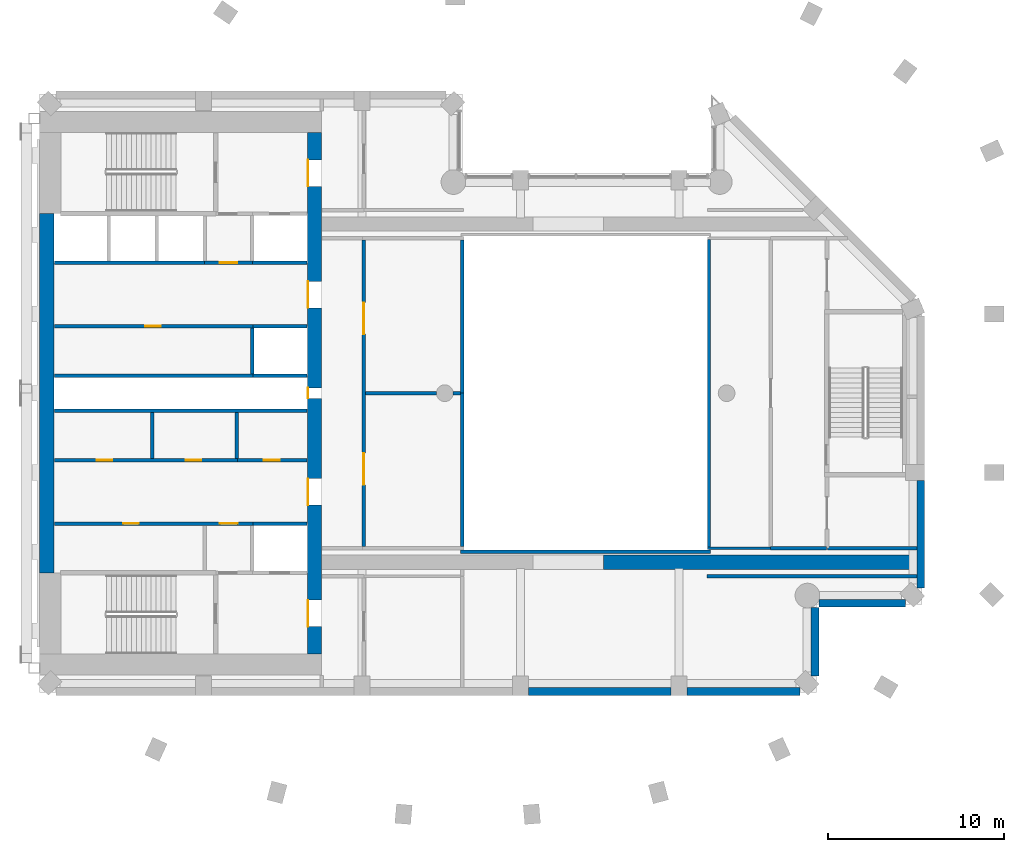
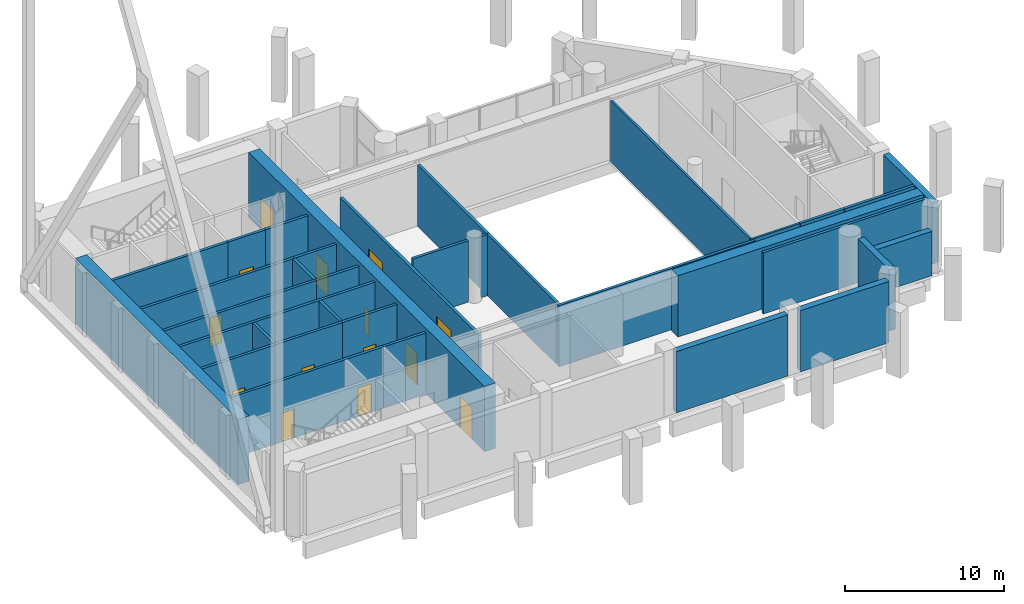
# One storey, part 5 of 12: 34 walls, 14 doors, 14 openings.
"""IFC4 building model written with IfcOpenShell, lengths in metres."""

from ifc_helpers import new_model, si_unit, direction, frame, frame_2d, origin, place, context, subcontext, project, spatial, rectangle, extrude, material, layer, layer_set, type_object, element, fill, save


model = new_model("IFC4")

# Units and contexts
model_context = context("Model", 3, precision=1e-05, world=origin(), true_north=direction((0.0, 1.0)))
body_context = subcontext(model_context, "Body", "Model", "MODEL_VIEW")
ifc_project = project(units=[si_unit("LENGTHUNIT", "METRE"), si_unit("AREAUNIT", "SQUARE_METRE"), si_unit("VOLUMEUNIT", "CUBIC_METRE"), si_unit("PLANEANGLEUNIT", "RADIAN"), si_unit("MASSUNIT", "GRAM", prefix="KILO")], contexts=[model_context])

# Site, building, storey
site_placement = place(None, origin())
site = spatial("IfcSite", under=ifc_project, at=site_placement, CompositionType="ELEMENT")
building_placement = place(site_placement, origin())
building = spatial("IfcBuilding", under=site, at=building_placement, Name="Cypress Arch Tower", CompositionType="ELEMENT")
storey_placement = place(building_placement, frame((0.0, 0.0, 238.39990234375)))
storey = spatial("IfcBuildingStorey", under=building, at=storey_placement, Name="L53", CompositionType="ELEMENT", Elevation=238.39990234375)

# Walls
ifc_material_1 = material(Name="Brick (red buff blend)", Category="masonry")
ifc_layer_1 = layer(ifc_material_1, 0.449951171875)
ifc_layer_set_1 = layer_set([ifc_layer_1], Name="Brick belt wall BW450-B")
wall_type_1 = type_object("IfcWallType", Name="Brick belt wall BW450-B", PredefinedType="SOLIDWALL", material=ifc_layer_set_1)
wall_1_placement = place(storey_placement, frame((-2.25, -16.925048828125, 0.0), z_axis=(0.0, 0.0, 1.0), x_axis=(1.0, 0.0, 0.0)))
element("IfcWall", 1, at=wall_1_placement, inside=storey, type_object=wall_type_1, Name="Brick wall L53 B01.3", PredefinedType="SOLIDWALL", context=body_context, shape_type="SweptSolid", body=[
    extrude(rectangle(XDim=8.10009765625, YDim=0.449951171875, at=frame_2d((4.050048828125, 0.0))), origin(), (0.0, 0.0, 1.0), 4.7001953125),
])
wall_2_placement = place(storey_placement, frame((6.75, -16.925048828125, 0.0), z_axis=(0.0, 0.0, 1.0), x_axis=(1.0, 0.0, 0.0)))
element("IfcWall", 2, at=wall_2_placement, inside=storey, type_object=wall_type_1, Name="Brick wall L53 B01.4", PredefinedType="SOLIDWALL", context=body_context, shape_type="SweptSolid", body=[
    extrude(rectangle(XDim=6.41357421875, YDim=0.449951171875, at=frame_2d((3.206787109375, 0.0))), origin(), (0.0, 0.0, 1.0), 4.7001953125),
])
wall_3_placement = place(storey_placement, frame((14.02490234375, -16.063720703125, 0.0), z_axis=(0.0, 0.0, 1.0), x_axis=(0.0, 1.0, 0.0)))
element("IfcWall", 3, at=wall_3_placement, inside=storey, type_object=wall_type_1, Name="Brick wall L53 B02.0", PredefinedType="SOLIDWALL", context=body_context, shape_type="SweptSolid", body=[
    extrude(rectangle(XDim=3.9091796875, YDim=0.449951171875, at=frame_2d((1.95458984375, 0.0))), origin(), (0.0, 0.0, 1.0), 4.7001953125),
])
wall_4_placement = place(storey_placement, frame((14.254638671875, -11.925048828125, 0.0), z_axis=(0.0, 0.0, 1.0), x_axis=(1.0, 0.0, 0.0)))
element("IfcWall", 4, at=wall_4_placement, inside=storey, type_object=wall_type_1, Name="Brick wall L53 B03.0", PredefinedType="SOLIDWALL", context=body_context, shape_type="SweptSolid", body=[
    extrude(rectangle(XDim=4.908935546875, YDim=0.449951171875, at=frame_2d((2.45458984375, 0.0))), origin(), (0.0, 0.0, 1.0), 3.400146484375),
])
wall_5_placement = place(storey_placement, frame((20.02490234375, -11.063720703125, 0.0), z_axis=(0.0, 0.0, 1.0), x_axis=(0.0, 1.0, 0.0)))
element("IfcWall", 5, at=wall_5_placement, inside=storey, type_object=wall_type_1, Name="Brick wall L53 B04.0", PredefinedType="SOLIDWALL", context=body_context, shape_type="SweptSolid", body=[
    extrude(rectangle(XDim=6.11376953125, YDim=0.449951171875, at=frame_2d((3.056884765625, 0.0))), origin(), (0.0, 0.0, 1.0), 4.7001953125),
])

# Wall, openings, doors
ifc_material_2 = material(Name="Concrete C70/85", Category="concrete")
ifc_layer_2 = layer(ifc_material_2, 0.800048828125)
ifc_layer_set_2 = layer_set([ifc_layer_2], Name="Core wall CW800 C70/85")
wall_type_2 = type_object("IfcWallType", Name="Core wall CW800 C70/85", PredefinedType="SHEAR", material=ifc_layer_set_2)
wall_6_placement = place(storey_placement, frame((-14.39990234375, -14.800048828125, 0.0), z_axis=(0.0, 0.0, 1.0), x_axis=(0.0, 1.0, 0.0)))
wall_6 = element("IfcWall", 6, at=wall_6_placement, inside=storey, type_object=wall_type_2, Name="Core wall", PredefinedType="SHEAR", context=body_context, shape_type="SweptSolid", body=[
    extrude(rectangle(XDim=29.60009765625, YDim=0.800048828125, at=frame_2d((14.800048828125, 0.0))), origin(), (0.0, 0.0, 1.0), 5.0),
])
opening_1_placement = place(wall_6_placement, frame((1.550048828125, 0.0, 0.0)))
opening_1 = element("IfcOpeningElement", 7, at=opening_1_placement, cuts=wall_6, Name="Opening D07", PredefinedType="OPENING", context=body_context, shape_type="SweptSolid", body=[
    extrude(rectangle(XDim=1.5, YDim=2.39990234375, at=frame_2d((0.75, 1.199951171875))), frame((0.0, 0.409912109375, 0.0), z_axis=(0.0, -1.0, 0.0), x_axis=(1.0, 0.0, 0.0)), (0.0, 0.0, 1.0), 0.820068359375),
])
opening_2_placement = place(wall_6_placement, frame((26.550048828125, 0.0, 0.0)))
opening_2 = element("IfcOpeningElement", 8, at=opening_2_placement, cuts=wall_6, Name="Opening D07", PredefinedType="OPENING", context=body_context, shape_type="SweptSolid", body=[
    extrude(rectangle(XDim=1.5, YDim=2.39990234375, at=frame_2d((0.75, 1.199951171875))), frame((0.0, 0.409912109375, 0.0), z_axis=(0.0, -1.0, 0.0), x_axis=(1.0, 0.0, 0.0)), (0.0, 0.0, 1.0), 0.820068359375),
])
opening_3_placement = place(wall_6_placement, frame((8.449951171875, 0.0, 0.0)))
opening_3 = element("IfcOpeningElement", 9, at=opening_3_placement, cuts=wall_6, Name="Opening D07", PredefinedType="OPENING", context=body_context, shape_type="SweptSolid", body=[
    extrude(rectangle(XDim=1.5, YDim=2.39990234375, at=frame_2d((0.75, 1.199951171875))), frame((0.0, 0.409912109375, 0.0), z_axis=(0.0, -1.0, 0.0), x_axis=(1.0, 0.0, 0.0)), (0.0, 0.0, 1.0), 0.820068359375),
])
opening_4_placement = place(wall_6_placement, frame((19.64990234375, 0.0, 0.0)))
opening_4 = element("IfcOpeningElement", 10, at=opening_4_placement, cuts=wall_6, Name="Opening D07", PredefinedType="OPENING", context=body_context, shape_type="SweptSolid", body=[
    extrude(rectangle(XDim=1.5, YDim=2.39990234375, at=frame_2d((0.75, 1.199951171875))), frame((0.0, 0.409912109375, 0.0), z_axis=(0.0, -1.0, 0.0), x_axis=(1.0, 0.0, 0.0)), (0.0, 0.0, 1.0), 0.820068359375),
])
opening_5_placement = place(wall_6_placement, frame((14.5, 0.0, 0.0)))
opening_5 = element("IfcOpeningElement", 11, at=opening_5_placement, cuts=wall_6, Name="Opening D08", PredefinedType="OPENING", context=body_context, shape_type="SweptSolid", body=[
    extrude(rectangle(XDim=0.60009765625, YDim=2.0, at=frame_2d((0.300048828125, 1.0))), frame((0.0, 0.409912109375, 0.0), z_axis=(0.0, -1.0, 0.0), x_axis=(1.0, 0.0, 0.0)), (0.0, 0.0, 1.0), 0.820068359375),
])
ifc_material_3 = material(Name="Steel framed glazed door, fire resisting", Category="steel")
door_type_1 = type_object("IfcDoorType", Name="Lobby door D07 1500x2400", OperationType="DOUBLE_DOOR_SINGLE_SWING", PredefinedType="DOOR", material=ifc_material_3)
door_1_placement = place(opening_1_placement, origin())
door_1 = element("IfcDoor", 12, at=door_1_placement, inside=storey, type_object=door_type_1, Name="Lobby door", OperationType="DOUBLE_DOOR_SINGLE_SWING", OverallHeight=2.39990234375, OverallWidth=1.5, PredefinedType="DOOR", context=body_context, shape_type="SweptSolid", body=[
    extrude(rectangle(XDim=1.5, YDim=2.39990234375, at=frame_2d((0.75, 1.199951171875))), frame((0.0, 0.39501953125, 0.0), z_axis=(0.0, -1.0, 0.0), x_axis=(1.0, 0.0, 0.0)), (0.0, 0.0, 1.0), 0.050048828125),
])
fill(opening_1, door_1)
door_2_placement = place(opening_2_placement, origin())
door_2 = element("IfcDoor", 13, at=door_2_placement, inside=storey, type_object=door_type_1, Name="Lobby door", OperationType="DOUBLE_DOOR_SINGLE_SWING", OverallHeight=2.39990234375, OverallWidth=1.5, PredefinedType="DOOR", context=body_context, shape_type="SweptSolid", body=[
    extrude(rectangle(XDim=1.5, YDim=2.39990234375, at=frame_2d((0.75, 1.199951171875))), frame((0.0, 0.39501953125, 0.0), z_axis=(0.0, -1.0, 0.0), x_axis=(1.0, 0.0, 0.0)), (0.0, 0.0, 1.0), 0.050048828125),
])
fill(opening_2, door_2)
door_3_placement = place(opening_3_placement, origin())
door_3 = element("IfcDoor", 14, at=door_3_placement, inside=storey, type_object=door_type_1, Name="Lobby door", OperationType="DOUBLE_DOOR_SINGLE_SWING", OverallHeight=2.39990234375, OverallWidth=1.5, PredefinedType="DOOR", context=body_context, shape_type="SweptSolid", body=[
    extrude(rectangle(XDim=1.5, YDim=2.39990234375, at=frame_2d((0.75, 1.199951171875))), frame((0.0, 0.39501953125, 0.0), z_axis=(0.0, -1.0, 0.0), x_axis=(1.0, 0.0, 0.0)), (0.0, 0.0, 1.0), 0.050048828125),
])
fill(opening_3, door_3)
door_4_placement = place(opening_4_placement, origin())
door_4 = element("IfcDoor", 15, at=door_4_placement, inside=storey, type_object=door_type_1, Name="Lobby door", OperationType="DOUBLE_DOOR_SINGLE_SWING", OverallHeight=2.39990234375, OverallWidth=1.5, PredefinedType="DOOR", context=body_context, shape_type="SweptSolid", body=[
    extrude(rectangle(XDim=1.5, YDim=2.39990234375, at=frame_2d((0.75, 1.199951171875))), frame((0.0, 0.39501953125, 0.0), z_axis=(0.0, -1.0, 0.0), x_axis=(1.0, 0.0, 0.0)), (0.0, 0.0, 1.0), 0.050048828125),
])
fill(opening_4, door_4)
ifc_material_4 = material(Name="Steel access door, fire resisting", Category="steel")
door_type_2 = type_object("IfcDoorType", Name="Riser access door D08 600x2000", OperationType="SINGLE_SWING_LEFT", PredefinedType="DOOR", material=ifc_material_4)
door_5_placement = place(opening_5_placement, origin())
door_5 = element("IfcDoor", 16, at=door_5_placement, inside=storey, type_object=door_type_2, Name="Riser access door", OperationType="SINGLE_SWING_RIGHT", OverallHeight=2.0, OverallWidth=0.60009765625, PredefinedType="DOOR", context=body_context, shape_type="SweptSolid", body=[
    extrude(rectangle(XDim=0.60009765625, YDim=2.0, at=frame_2d((0.300048828125, 1.0))), frame((0.0, 0.39501953125, 0.0), z_axis=(0.0, -1.0, 0.0), x_axis=(1.0, 0.0, 0.0)), (0.0, 0.0, 1.0), 0.050048828125),
])
fill(opening_5, door_5)

# Wall
wall_7_placement = place(storey_placement, frame((-29.60009765625, -10.199951171875, 0.0), z_axis=(0.0, 0.0, 1.0), x_axis=(0.0, 1.0, 0.0)))
element("IfcWall", 17, at=wall_7_placement, inside=storey, type_object=wall_type_2, Name="Core wall", PredefinedType="SHEAR", context=body_context, shape_type="SweptSolid", body=[
    extrude(rectangle(XDim=20.39990234375, YDim=0.800048828125, at=frame_2d((10.199951171875, 0.0))), origin(), (0.0, 0.0, 1.0), 5.0),
])

# Wall, openings, doors
ifc_material_5 = material(Name="Concrete blockwork, plastered, rated", Category="masonry")
ifc_layer_3 = layer(ifc_material_5, 0.199951171875)
ifc_layer_set_3 = layer_set([ifc_layer_3], Name="Corridor wall FW200")
wall_type_3 = type_object("IfcWallType", Name="Corridor wall FW200", PredefinedType="PARTITIONING", material=ifc_layer_set_3)
wall_8_placement = place(storey_placement, frame((-29.169921875, -7.39990234375, 0.0), z_axis=(0.0, 0.0, 1.0), x_axis=(1.0, 0.0, 0.0)))
wall_8 = element("IfcWall", 18, at=wall_8_placement, inside=storey, type_object=wall_type_3, Name="Corridor wall", PredefinedType="PARTITIONING", context=body_context, shape_type="SweptSolid", body=[
    extrude(rectangle(XDim=11.27001953125, YDim=0.199951171875, at=frame_2d((5.635009765625, 0.0))), origin(), (0.0, 0.0, 1.0), 4.7001953125),
])
opening_6_placement = place(wall_8_placement, frame((9.39990234375, 0.0, 0.0)))
opening_6 = element("IfcOpeningElement", 19, at=opening_6_placement, cuts=wall_8, Name="Opening D16", PredefinedType="OPENING", context=body_context, shape_type="SweptSolid", body=[
    extrude(rectangle(XDim=1.0, YDim=2.199951171875, at=frame_2d((0.5, 1.10009765625))), frame((0.0, 0.10986328125, 0.0), z_axis=(0.0, -1.0, 0.0), x_axis=(1.0, 0.0, 0.0)), (0.0, 0.0, 1.0), 0.219970703125),
])
opening_7_placement = place(wall_8_placement, frame((3.89990234375, 0.0, 0.0)))
opening_7 = element("IfcOpeningElement", 20, at=opening_7_placement, cuts=wall_8, Name="Opening D05", PredefinedType="OPENING", context=body_context, shape_type="SweptSolid", body=[
    extrude(rectangle(XDim=0.89990234375, YDim=2.199951171875, at=frame_2d((0.449951171875, 1.10009765625))), frame((0.0, 0.10986328125, 0.0), z_axis=(0.0, -1.0, 0.0), x_axis=(1.0, 0.0, 0.0)), (0.0, 0.0, 1.0), 0.219970703125),
])
ifc_material_6 = material(Name="Timber flush door", Category="wood")
door_type_3 = type_object("IfcDoorType", Name="Service door D05 900x2200", OperationType="SINGLE_SWING_LEFT", PredefinedType="DOOR", material=ifc_material_6)
door_6_placement = place(opening_7_placement, origin())
door_6 = element("IfcDoor", 21, at=door_6_placement, inside=storey, type_object=door_type_3, Name="Service door", OperationType="SINGLE_SWING_RIGHT", OverallHeight=2.199951171875, OverallWidth=0.89990234375, PredefinedType="DOOR", context=body_context, shape_type="SweptSolid", body=[
    extrude(rectangle(XDim=0.89990234375, YDim=2.199951171875, at=frame_2d((0.449951171875, 1.10009765625))), frame((0.0, 0.02490234375, 0.0), z_axis=(0.0, -1.0, 0.0), x_axis=(1.0, 0.0, 0.0)), (0.0, 0.0, 1.0), 0.050048828125),
])
fill(opening_7, door_6)
ifc_material_7 = material(Name="Timber flush door", Category="wood")
door_type_4 = type_object("IfcDoorType", Name="Service door D16 1000x2200", OperationType="SINGLE_SWING_LEFT", PredefinedType="DOOR", material=ifc_material_7)
door_7_placement = place(opening_6_placement, origin())
door_7 = element("IfcDoor", 22, at=door_7_placement, inside=storey, type_object=door_type_4, Name="Service door", OperationType="SINGLE_SWING_RIGHT", OverallHeight=2.199951171875, OverallWidth=1.0, PredefinedType="DOOR", context=body_context, shape_type="SweptSolid", body=[
    extrude(rectangle(XDim=1.0, YDim=2.199951171875, at=frame_2d((0.5, 1.10009765625))), frame((0.0, 0.02490234375, 0.0), z_axis=(0.0, -1.0, 0.0), x_axis=(1.0, 0.0, 0.0)), (0.0, 0.0, 1.0), 0.050048828125),
])
fill(opening_6, door_7)

# Wall, opening, door
wall_9_placement = place(storey_placement, frame((-20.639892578125, 7.39990234375, 0.0), z_axis=(0.0, 0.0, 1.0), x_axis=(1.0, 0.0, 0.0)))
wall_9 = element("IfcWall", 23, at=wall_9_placement, inside=storey, type_object=wall_type_3, Name="Corridor wall", PredefinedType="PARTITIONING", context=body_context, shape_type="SweptSolid", body=[
    extrude(rectangle(XDim=2.719970703125, YDim=0.199951171875, at=frame_2d((1.35986328125, 0.0))), origin(), (0.0, 0.0, 1.0), 4.7001953125),
])
opening_8_placement = place(wall_9_placement, frame((0.85009765625, 0.0, 0.0)))
opening_8 = element("IfcOpeningElement", 24, at=opening_8_placement, cuts=wall_9, Name="Opening D16", PredefinedType="OPENING", context=body_context, shape_type="SweptSolid", body=[
    extrude(rectangle(XDim=1.0, YDim=2.199951171875, at=frame_2d((0.5, 1.10009765625))), frame((0.0, 0.10986328125, 0.0), z_axis=(0.0, -1.0, 0.0), x_axis=(1.0, 0.0, 0.0)), (0.0, 0.0, 1.0), 0.219970703125),
])
door_8_placement = place(opening_8_placement, origin())
door_8 = element("IfcDoor", 25, at=door_8_placement, inside=storey, type_object=door_type_4, Name="Service door", OperationType="SINGLE_SWING_RIGHT", OverallHeight=2.199951171875, OverallWidth=1.0, PredefinedType="DOOR", context=body_context, shape_type="SweptSolid", body=[
    extrude(rectangle(XDim=1.0, YDim=2.199951171875, at=frame_2d((0.5, 1.10009765625))), frame((0.0, 0.02490234375, 0.0), z_axis=(0.0, -1.0, 0.0), x_axis=(1.0, 0.0, 0.0)), (0.0, 0.0, 1.0), 0.050048828125),
])
fill(opening_8, door_8)

wall_10_placement = place(storey_placement, frame((-18.780029296875, -3.800048828125, 0.0), z_axis=(0.0, 0.0, 1.0), x_axis=(1.0, 0.0, 0.0)))
wall_10 = element("IfcWall", 26, at=wall_10_placement, inside=storey, type_object=wall_type_3, Name="Corridor wall", PredefinedType="PARTITIONING", context=body_context, shape_type="SweptSolid", body=[
    extrude(rectangle(XDim=3.949951171875, YDim=0.199951171875, at=frame_2d((1.97509765625, 0.0))), origin(), (0.0, 0.0, 1.0), 4.7001953125),
])
opening_9_placement = place(wall_10_placement, frame((1.5, 0.0, 0.0)))
opening_9 = element("IfcOpeningElement", 27, at=opening_9_placement, cuts=wall_10, Name="Opening D05", PredefinedType="OPENING", context=body_context, shape_type="SweptSolid", body=[
    extrude(rectangle(XDim=0.89990234375, YDim=2.199951171875, at=frame_2d((0.449951171875, 1.10009765625))), frame((0.0, 0.10986328125, 0.0), z_axis=(0.0, -1.0, 0.0), x_axis=(1.0, 0.0, 0.0)), (0.0, 0.0, 1.0), 0.219970703125),
])
door_9_placement = place(opening_9_placement, origin())
door_9 = element("IfcDoor", 28, at=door_9_placement, inside=storey, type_object=door_type_3, Name="Service door", OperationType="SINGLE_SWING_LEFT", OverallHeight=2.199951171875, OverallWidth=0.89990234375, PredefinedType="DOOR", context=body_context, shape_type="SweptSolid", body=[
    extrude(rectangle(XDim=0.89990234375, YDim=2.199951171875, at=frame_2d((0.449951171875, 1.10009765625))), frame((0.0, 0.02490234375, 0.0), z_axis=(0.0, -1.0, 0.0), x_axis=(1.0, 0.0, 0.0)), (0.0, 0.0, 1.0), 0.050048828125),
])
fill(opening_9, door_9)

# Walls
wall_11_placement = place(storey_placement, frame((11.5, -8.800048828125, 0.0), z_axis=(0.0, 0.0, 1.0), x_axis=(1.0, 0.0, 0.0)))
element("IfcWall", 29, at=wall_11_placement, inside=storey, type_object=wall_type_3, Name="Corridor wall", PredefinedType="PARTITIONING", context=body_context, shape_type="SweptSolid", body=[
    extrude(rectangle(XDim=3.179931640625, YDim=0.199951171875, at=frame_2d((1.58984375, 0.0))), origin(), (0.0, 0.0, 1.0), 4.7001953125),
])
ifc_material_8 = material(Name="Concrete C80/95", Category="concrete")
ifc_layer_4 = layer(ifc_material_8, 0.800048828125)
ifc_layer_set_4 = layer_set([ifc_layer_4], Name="Outrigger wall 800 Concrete C80/95")
wall_type_4 = type_object("IfcWallType", Name="Outrigger wall 800 Concrete C80/95", PredefinedType="SOLIDWALL", material=ifc_layer_set_4)
wall_12_placement = place(storey_placement, frame((2.0, -9.60009765625, 0.0), z_axis=(0.0, 0.0, 1.0), x_axis=(1.0, 0.0, 0.0)))
element("IfcWall", 30, at=wall_12_placement, inside=storey, type_object=wall_type_4, Name="Outrigger wall L53 SE", PredefinedType="SOLIDWALL", context=body_context, shape_type="SweptSolid", body=[
    extrude(rectangle(XDim=17.800048828125, YDim=0.800048828125, at=frame_2d((8.89990234375, 0.0))), origin(), (0.0, 0.0, 1.0), 4.7001953125),
])
ifc_material_9 = material(Name="Blockwork, plastered both sides", Category="masonry")
ifc_layer_5 = layer(ifc_material_9, 0.14990234375)
ifc_layer_set_5 = layer_set([ifc_layer_5], Name="Partition PW150")
wall_type_5 = type_object("IfcWallType", Name="Partition PW150", PredefinedType="PARTITIONING", material=ifc_layer_set_5)
wall_13_placement = place(storey_placement, frame((8.0, -8.72509765625, 0.0), z_axis=(0.0, 0.0, 1.0), x_axis=(0.0, 1.0, 0.0)))
element("IfcWall", 31, at=wall_13_placement, inside=storey, type_object=wall_type_5, Name="Partition", PredefinedType="PARTITIONING", context=body_context, shape_type="SweptSolid", body=[
    extrude(rectangle(XDim=17.4501953125, YDim=0.14990234375, at=frame_2d((8.72509765625, 0.0))), origin(), (0.0, 0.0, 1.0), 4.7001953125),
])
wall_14_placement = place(storey_placement, frame((7.925048828125, -8.800048828125, 0.0), z_axis=(0.0, 0.0, 1.0), x_axis=(1.0, 0.0, 0.0)))
element("IfcWall", 32, at=wall_14_placement, inside=storey, type_object=wall_type_5, Name="Partition", PredefinedType="PARTITIONING", context=body_context, shape_type="SweptSolid", body=[
    extrude(rectangle(XDim=3.554931640625, YDim=0.14990234375, at=frame_2d((1.77734375, 0.0))), origin(), (0.0, 0.0, 1.0), 4.7001953125),
])

# Wall, openings, doors
ifc_material_10 = material(Name="Reinforced blockwork, plastered, rated", Category="masonry")
ifc_layer_6 = layer(ifc_material_10, 0.199951171875)
ifc_layer_set_6 = layer_set([ifc_layer_6], Name="Plant and riser wall PL200")
wall_type_6 = type_object("IfcWallType", Name="Plant and riser wall PL200", PredefinedType="PARTITIONING", material=ifc_layer_set_6)
wall_15_placement = place(storey_placement, frame((-29.169921875, -3.800048828125, 0.0), z_axis=(0.0, 0.0, 1.0), x_axis=(1.0, 0.0, 0.0)))
wall_15 = element("IfcWall", 33, at=wall_15_placement, inside=storey, type_object=wall_type_6, Name="Plant and riser wall", PredefinedType="PARTITIONING", context=body_context, shape_type="SweptSolid", body=[
    extrude(rectangle(XDim=10.389892578125, YDim=0.199951171875, at=frame_2d((5.19482421875, 0.0))), origin(), (0.0, 0.0, 1.0), 4.7001953125),
])
opening_10_placement = place(wall_15_placement, frame((2.39990234375, 0.0, 0.0)))
opening_10 = element("IfcOpeningElement", 34, at=opening_10_placement, cuts=wall_15, Name="Opening D05", PredefinedType="OPENING", context=body_context, shape_type="SweptSolid", body=[
    extrude(rectangle(XDim=0.89990234375, YDim=2.199951171875, at=frame_2d((0.449951171875, 1.10009765625))), frame((0.0, 0.10986328125, 0.0), z_axis=(0.0, -1.0, 0.0), x_axis=(1.0, 0.0, 0.0)), (0.0, 0.0, 1.0), 0.219970703125),
])
opening_11_placement = place(wall_15_placement, frame((7.449951171875, 0.0, 0.0)))
opening_11 = element("IfcOpeningElement", 35, at=opening_11_placement, cuts=wall_15, Name="Opening D05", PredefinedType="OPENING", context=body_context, shape_type="SweptSolid", body=[
    extrude(rectangle(XDim=0.89990234375, YDim=2.199951171875, at=frame_2d((0.449951171875, 1.10009765625))), frame((0.0, 0.10986328125, 0.0), z_axis=(0.0, -1.0, 0.0), x_axis=(1.0, 0.0, 0.0)), (0.0, 0.0, 1.0), 0.219970703125),
])
door_10_placement = place(opening_10_placement, origin())
door_10 = element("IfcDoor", 36, at=door_10_placement, inside=storey, type_object=door_type_3, Name="Service door", OperationType="SINGLE_SWING_RIGHT", OverallHeight=2.199951171875, OverallWidth=0.89990234375, PredefinedType="DOOR", context=body_context, shape_type="SweptSolid", body=[
    extrude(rectangle(XDim=0.89990234375, YDim=2.199951171875, at=frame_2d((0.449951171875, 1.10009765625))), frame((0.0, 0.02490234375, 0.0), z_axis=(0.0, -1.0, 0.0), x_axis=(1.0, 0.0, 0.0)), (0.0, 0.0, 1.0), 0.050048828125),
])
fill(opening_10, door_10)
door_11_placement = place(opening_11_placement, origin())
door_11 = element("IfcDoor", 37, at=door_11_placement, inside=storey, type_object=door_type_3, Name="Service door", OperationType="SINGLE_SWING_LEFT", OverallHeight=2.199951171875, OverallWidth=0.89990234375, PredefinedType="DOOR", context=body_context, shape_type="SweptSolid", body=[
    extrude(rectangle(XDim=0.89990234375, YDim=2.199951171875, at=frame_2d((0.449951171875, 1.10009765625))), frame((0.0, 0.02490234375, 0.0), z_axis=(0.0, -1.0, 0.0), x_axis=(1.0, 0.0, 0.0)), (0.0, 0.0, 1.0), 0.050048828125),
])
fill(opening_11, door_11)

# Walls
wall_16_placement = place(storey_placement, frame((-29.169921875, -1.0, 0.0), z_axis=(0.0, 0.0, 1.0), x_axis=(1.0, 0.0, 0.0)))
element("IfcWall", 38, at=wall_16_placement, inside=storey, type_object=wall_type_6, Name="Plant and riser wall", PredefinedType="PARTITIONING", context=body_context, shape_type="SweptSolid", body=[
    extrude(rectangle(XDim=14.33984375, YDim=0.199951171875, at=frame_2d((7.169921875, 0.0))), origin(), (0.0, 0.0, 1.0), 4.7001953125),
])
wall_17_placement = place(storey_placement, frame((-29.169921875, 1.0, 0.0), z_axis=(0.0, 0.0, 1.0), x_axis=(1.0, 0.0, 0.0)))
element("IfcWall", 39, at=wall_17_placement, inside=storey, type_object=wall_type_6, Name="Plant and riser wall", PredefinedType="PARTITIONING", context=body_context, shape_type="SweptSolid", body=[
    extrude(rectangle(XDim=11.27001953125, YDim=0.199951171875, at=frame_2d((5.635009765625, 0.0))), origin(), (0.0, 0.0, 1.0), 4.7001953125),
])

# Wall, opening, door
wall_18_placement = place(storey_placement, frame((-29.169921875, 3.800048828125, 0.0), z_axis=(0.0, 0.0, 1.0), x_axis=(1.0, 0.0, 0.0)))
wall_18 = element("IfcWall", 40, at=wall_18_placement, inside=storey, type_object=wall_type_6, Name="Plant and riser wall", PredefinedType="PARTITIONING", context=body_context, shape_type="SweptSolid", body=[
    extrude(rectangle(XDim=11.27001953125, YDim=0.199951171875, at=frame_2d((5.635009765625, 0.0))), origin(), (0.0, 0.0, 1.0), 4.7001953125),
])
opening_12_placement = place(wall_18_placement, frame((5.14990234375, 0.0, 0.0)))
opening_12 = element("IfcOpeningElement", 41, at=opening_12_placement, cuts=wall_18, Name="Opening D05", PredefinedType="OPENING", context=body_context, shape_type="SweptSolid", body=[
    extrude(rectangle(XDim=0.89990234375, YDim=2.199951171875, at=frame_2d((0.449951171875, 1.10009765625))), frame((0.0, 0.10986328125, 0.0), z_axis=(0.0, -1.0, 0.0), x_axis=(1.0, 0.0, 0.0)), (0.0, 0.0, 1.0), 0.219970703125),
])
door_12_placement = place(opening_12_placement, origin())
door_12 = element("IfcDoor", 42, at=door_12_placement, inside=storey, type_object=door_type_3, Name="Service door", OperationType="SINGLE_SWING_RIGHT", OverallHeight=2.199951171875, OverallWidth=0.89990234375, PredefinedType="DOOR", context=body_context, shape_type="SweptSolid", body=[
    extrude(rectangle(XDim=0.89990234375, YDim=2.199951171875, at=frame_2d((0.449951171875, 1.10009765625))), frame((0.0, 0.02490234375, 0.0), z_axis=(0.0, -1.0, 0.0), x_axis=(1.0, 0.0, 0.0)), (0.0, 0.0, 1.0), 0.050048828125),
])
fill(opening_12, door_12)

# Walls
for number, where, z_axis, x_axis, name in (
    (43, (-23.60009765625, -3.699951171875, 0.0), (0.0, 0.0, 1.0), (0.0, 1.0, 0.0), "Plant and riser wall"),
    (44, (-18.800048828125, -3.699951171875, 0.0), (0.0, 0.0, 1.0), (0.0, 1.0, 0.0), "Plant and riser wall"),
):
    element("IfcWall", number, at=place(storey_placement, frame(where, z_axis=z_axis, x_axis=x_axis)), inside=storey, type_object=wall_type_6, Name=name, PredefinedType="PARTITIONING", context=body_context, shape_type="SweptSolid", body=[
        extrude(rectangle(XDim=2.599853515625, YDim=0.199951171875, at=frame_2d((1.2998046875, 0.0))), origin(), (0.0, 0.0, 1.0), 4.7001953125),
    ])

# Wall, openings, doors
wall_19_placement = place(storey_placement, frame((-11.60009765625, -8.699951171875, 0.0), z_axis=(0.0, 0.0, 1.0), x_axis=(0.0, 1.0, 0.0)))
wall_19 = element("IfcWall", 45, at=wall_19_placement, inside=storey, type_object=wall_type_6, Name="Plant and riser wall", PredefinedType="PARTITIONING", context=body_context, shape_type="SweptSolid", body=[
    extrude(rectangle(XDim=17.39990234375, YDim=0.199951171875, at=frame_2d((8.699951171875, 0.0))), origin(), (0.0, 0.0, 1.0), 4.150146484375),
])
opening_13_placement = place(wall_19_placement, frame((3.5, 0.0, 0.0)))
opening_13 = element("IfcOpeningElement", 46, at=opening_13_placement, cuts=wall_19, Name="Opening D09", PredefinedType="OPENING", context=body_context, shape_type="SweptSolid", body=[
    extrude(rectangle(XDim=1.800048828125, YDim=2.39990234375, at=frame_2d((0.89990234375, 1.199951171875))), frame((0.0, 0.10986328125, 0.0), z_axis=(0.0, -1.0, 0.0), x_axis=(1.0, 0.0, 0.0)), (0.0, 0.0, 1.0), 0.219970703125),
])
opening_14_placement = place(wall_19_placement, frame((12.050048828125, 0.0, 0.0)))
opening_14 = element("IfcOpeningElement", 47, at=opening_14_placement, cuts=wall_19, Name="Opening D09", PredefinedType="OPENING", context=body_context, shape_type="SweptSolid", body=[
    extrude(rectangle(XDim=1.800048828125, YDim=2.39990234375, at=frame_2d((0.89990234375, 1.199951171875))), frame((0.0, 0.10986328125, 0.0), z_axis=(0.0, -1.0, 0.0), x_axis=(1.0, 0.0, 0.0)), (0.0, 0.0, 1.0), 0.219970703125),
])
ifc_material_11 = material(Name="Steel door, fire resisting", Category="steel")
door_type_5 = type_object("IfcDoorType", Name="Plant room door D09 1800x2400", OperationType="DOUBLE_DOOR_SINGLE_SWING", PredefinedType="DOOR", material=ifc_material_11)
door_13_placement = place(opening_13_placement, origin())
door_13 = element("IfcDoor", 48, at=door_13_placement, inside=storey, type_object=door_type_5, Name="Plant room door", OperationType="DOUBLE_DOOR_SINGLE_SWING", OverallHeight=2.39990234375, OverallWidth=1.800048828125, PredefinedType="DOOR", context=body_context, shape_type="SweptSolid", body=[
    extrude(rectangle(XDim=1.800048828125, YDim=2.39990234375, at=frame_2d((0.89990234375, 1.199951171875))), frame((0.0, 0.02490234375, 0.0), z_axis=(0.0, -1.0, 0.0), x_axis=(1.0, 0.0, 0.0)), (0.0, 0.0, 1.0), 0.050048828125),
])
fill(opening_13, door_13)
door_14_placement = place(opening_14_placement, origin())
door_14 = element("IfcDoor", 49, at=door_14_placement, inside=storey, type_object=door_type_5, Name="Plant room door", OperationType="DOUBLE_DOOR_SINGLE_SWING", OverallHeight=2.39990234375, OverallWidth=1.800048828125, PredefinedType="DOOR", context=body_context, shape_type="SweptSolid", body=[
    extrude(rectangle(XDim=1.800048828125, YDim=2.39990234375, at=frame_2d((0.89990234375, 1.199951171875))), frame((0.0, 0.02490234375, 0.0), z_axis=(0.0, -1.0, 0.0), x_axis=(1.0, 0.0, 0.0)), (0.0, 0.0, 1.0), 0.050048828125),
])
fill(opening_14, door_14)

# Walls
wall_20_placement = place(storey_placement, frame((-11.5, 0.0, 0.0), z_axis=(0.0, 0.0, 1.0), x_axis=(1.0, 0.0, 0.0)))
element("IfcWall", 50, at=wall_20_placement, inside=storey, type_object=wall_type_6, Name="Plant and riser wall", PredefinedType="PARTITIONING", context=body_context, shape_type="SweptSolid", body=[
    extrude(rectangle(XDim=4.02490234375, YDim=0.199951171875, at=frame_2d((2.012451171875, 0.0))), origin(), (0.0, 0.0, 1.0), 4.7001953125),
])
wall_21_placement = place(storey_placement, frame((-6.52490234375, 0.0, 0.0), z_axis=(0.0, 0.0, 1.0), x_axis=(1.0, 0.0, 0.0)))
element("IfcWall", 51, at=wall_21_placement, inside=storey, type_object=wall_type_6, Name="Plant and riser wall", PredefinedType="PARTITIONING", context=body_context, shape_type="SweptSolid", body=[
    extrude(rectangle(XDim=0.4248046875, YDim=0.199951171875, at=frame_2d((0.21240234375, 0.0))), origin(), (0.0, 0.0, 1.0), 4.7001953125),
])
wall_22_placement = place(storey_placement, frame((-6.099853515625, -9.0, 0.0), z_axis=(0.0, 0.0, 1.0), x_axis=(1.0, 0.0, 0.0)))
element("IfcWall", 52, at=wall_22_placement, inside=storey, type_object=wall_type_6, Name="Plant and riser wall", PredefinedType="PARTITIONING", context=body_context, shape_type="SweptSolid", body=[
    extrude(rectangle(XDim=14.19970703125, YDim=0.199951171875, at=frame_2d((7.099853515625, 0.0))), origin(), (0.0, 0.0, 1.0), 4.7001953125),
])
wall_23_placement = place(storey_placement, frame((-6.0, -8.699951171875, 0.0), z_axis=(0.0, 0.0, 1.0), x_axis=(0.0, 1.0, 0.0)))
element("IfcWall", 53, at=wall_23_placement, inside=storey, type_object=wall_type_6, Name="Plant and riser wall", PredefinedType="PARTITIONING", context=body_context, shape_type="SweptSolid", body=[
    extrude(rectangle(XDim=8.699951171875, YDim=0.199951171875, at=frame_2d((4.35009765625, 0.0))), origin(), (0.0, 0.0, 1.0), 4.7001953125),
])
wall_24_placement = place(storey_placement, frame((-6.0, 0.02001953125, 0.0), z_axis=(0.0, 0.0, 1.0), x_axis=(0.0, 1.0, 0.0)))
element("IfcWall", 54, at=wall_24_placement, inside=storey, type_object=wall_type_6, Name="Plant and riser wall", PredefinedType="PARTITIONING", context=body_context, shape_type="SweptSolid", body=[
    extrude(rectangle(XDim=8.679931640625, YDim=0.199951171875, at=frame_2d((4.33984375, 0.0))), origin(), (0.0, 0.0, 1.0), 4.7001953125),
])
wall_25_placement = place(storey_placement, frame((7.90087890625, -10.39990234375, 0.0), z_axis=(0.0, 0.0, 1.0), x_axis=(1.0, 0.0, 0.0)))
element("IfcWall", 55, at=wall_25_placement, inside=storey, type_object=wall_type_6, Name="Plant and riser wall", PredefinedType="PARTITIONING", context=body_context, shape_type="SweptSolid", body=[
    extrude(rectangle(XDim=11.899169921875, YDim=0.199951171875, at=frame_2d((5.94970703125, 0.0))), origin(), (0.0, 0.0, 1.0), 4.7001953125),
])
wall_26_placement = place(storey_placement, frame((14.719970703125, -8.800048828125, 0.0), z_axis=(0.0, 0.0, 1.0), x_axis=(1.0, 0.0, 0.0)))
element("IfcWall", 56, at=wall_26_placement, inside=storey, type_object=wall_type_6, Name="Plant and riser wall", PredefinedType="PARTITIONING", context=body_context, shape_type="SweptSolid", body=[
    extrude(rectangle(XDim=5.080078125, YDim=0.199951171875, at=frame_2d((2.5400390625, 0.0))), origin(), (0.0, 0.0, 1.0), 4.7001953125),
])
ifc_material_12 = material(Name="Concrete C50/60", Category="concrete")
ifc_layer_7 = layer(ifc_material_12, 0.199951171875)
ifc_layer_set_7 = layer_set([ifc_layer_7], Name="Shaft wall SH200")
wall_type_7 = type_object("IfcWallType", Name="Shaft wall SH200", PredefinedType="SHEAR", material=ifc_layer_set_7)
wall_27_placement = place(storey_placement, frame((-29.169921875, 7.39990234375, 0.0), z_axis=(0.0, 0.0, 1.0), x_axis=(1.0, 0.0, 0.0)))
element("IfcWall", 57, at=wall_27_placement, inside=storey, type_object=wall_type_7, Name="Shaft wall", PredefinedType="SHEAR", context=body_context, shape_type="SweptSolid", body=[
    extrude(rectangle(XDim=8.530029296875, YDim=0.199951171875, at=frame_2d((4.26513671875, 0.0))), origin(), (0.0, 0.0, 1.0), 4.7001953125),
])
wall_28_placement = place(storey_placement, frame((-17.89990234375, -7.39990234375, 0.0), z_axis=(0.0, 0.0, 1.0), x_axis=(1.0, 0.0, 0.0)))
element("IfcWall", 58, at=wall_28_placement, inside=storey, type_object=wall_type_7, Name="Shaft wall", PredefinedType="SHEAR", context=body_context, shape_type="SweptSolid", body=[
    extrude(rectangle(XDim=3.06982421875, YDim=0.199951171875, at=frame_2d((1.534912109375, 0.0))), origin(), (0.0, 0.0, 1.0), 4.7001953125),
])
wall_29_placement = place(storey_placement, frame((-17.919921875, 1.10009765625, 0.0), z_axis=(0.0, 0.0, 1.0), x_axis=(0.0, 1.0, 0.0)))
element("IfcWall", 59, at=wall_29_placement, inside=storey, type_object=wall_type_7, Name="Shaft wall", PredefinedType="SHEAR", context=body_context, shape_type="SweptSolid", body=[
    extrude(rectangle(XDim=2.599853515625, YDim=0.199951171875, at=frame_2d((1.2998046875, 0.0))), origin(), (0.0, 0.0, 1.0), 4.7001953125),
])
for number, where, z_axis, x_axis, name in (
    (60, (-17.89990234375, 1.0, 0.0), (0.0, 0.0, 1.0), (1.0, 0.0, 0.0), "Shaft wall"),
    (61, (-17.89990234375, 3.800048828125, 0.0), (0.0, 0.0, 1.0), (1.0, 0.0, 0.0), "Shaft wall"),
):
    element("IfcWall", number, at=place(storey_placement, frame(where, z_axis=z_axis, x_axis=x_axis)), inside=storey, type_object=wall_type_7, Name=name, PredefinedType="SHEAR", context=body_context, shape_type="SweptSolid", body=[
        extrude(rectangle(XDim=3.06982421875, YDim=0.199951171875, at=frame_2d((1.534912109375, 0.0))), origin(), (0.0, 0.0, 1.0), 4.7001953125),
    ])
wall_30_placement = place(storey_placement, frame((-17.919921875, 7.39990234375, 0.0), z_axis=(0.0, 0.0, 1.0), x_axis=(1.0, 0.0, 0.0)))
element("IfcWall", 62, at=wall_30_placement, inside=storey, type_object=wall_type_7, Name="Shaft wall", PredefinedType="SHEAR", context=body_context, shape_type="SweptSolid", body=[
    extrude(rectangle(XDim=3.08984375, YDim=0.199951171875, at=frame_2d((1.544921875, 0.0))), origin(), (0.0, 0.0, 1.0), 4.7001953125),
])

save(model, "model.ifc")
